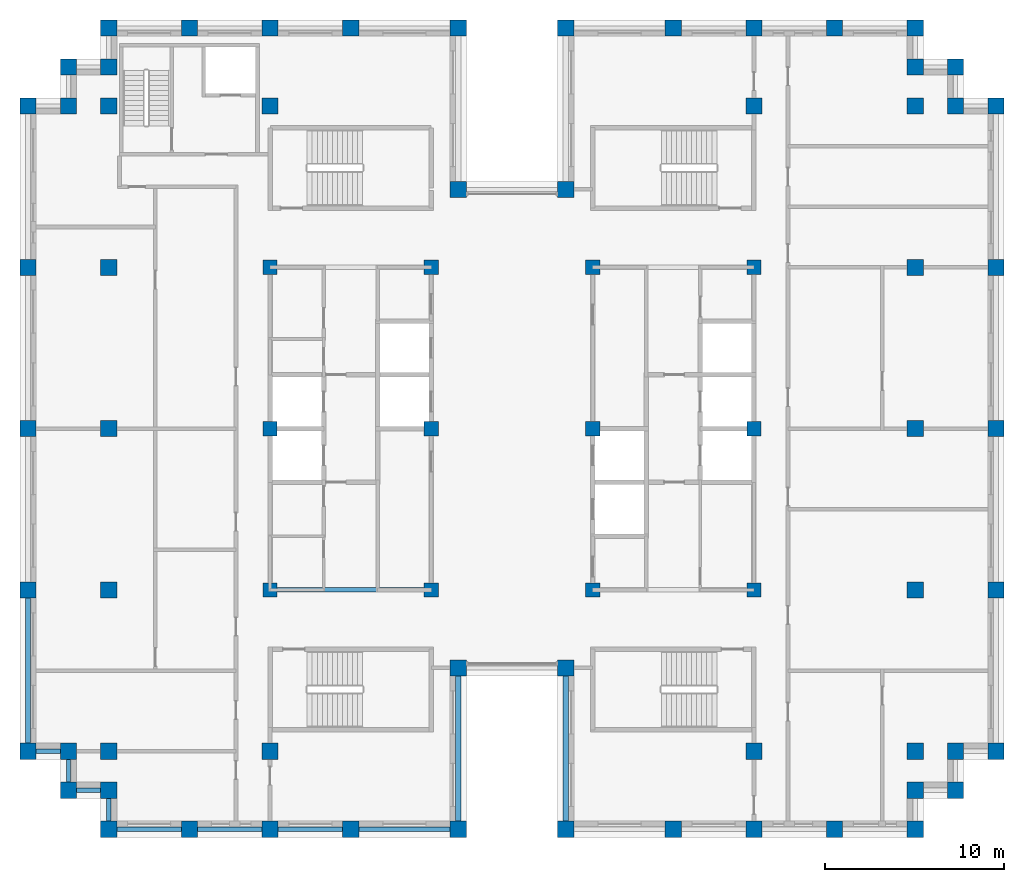
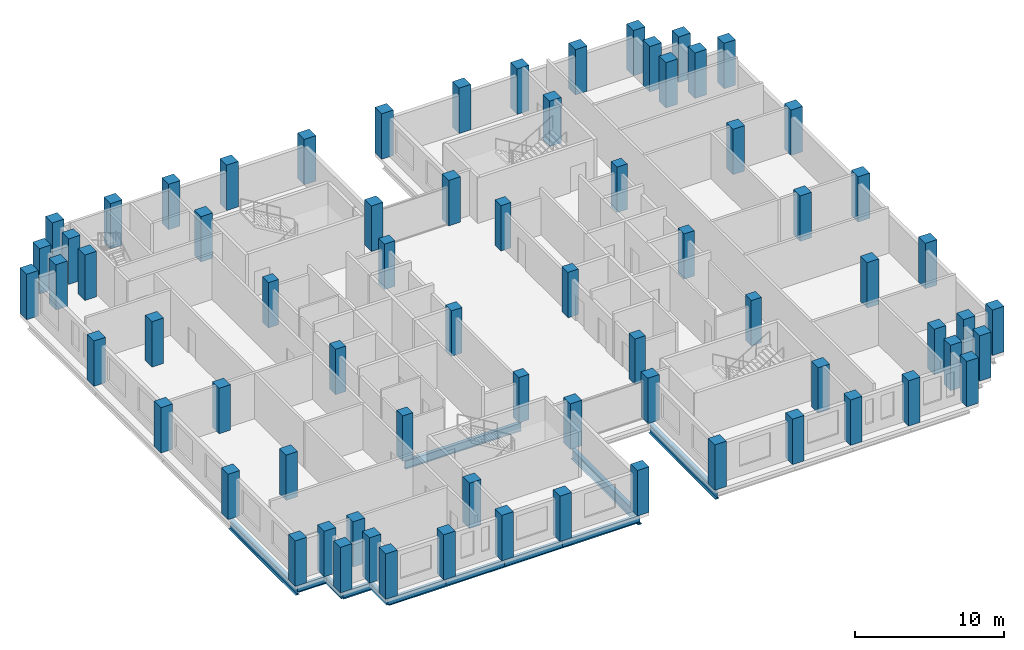
# One storey, part 1 of 13: 72 columns, 12 beams.
"""IFC4 building model written with IfcOpenShell, lengths in metres."""

import ifcopenshell
import ifcopenshell.guid

model = None  # the IFC model being written
_history = None  # IfcOwnerHistory: only IFC2X3 demands one
_inside = {}  # id of a spatial element -> (the spatial element, [elements in it])
_under = {}  # id of a project, library or spatial element -> (it, [spatial elements below it])
_declared = {}  # id of a project -> (the project, [libraries it declares])
_typed = {}  # id of a type object -> (the type object, [elements of that type])
_made_of = {}  # id of a material, layer set ... -> (it, [elements and type objects made of it])


def new_model(schema):
    """Start an empty IFC model of exactly this schema.

    Asked for "IFC4X3", IfcOpenShell would pick the latest addendum, in which some entities
    have other attributes; the version numbers below select the first issue.
    IFC2X3 requires an IfcOwnerHistory on every rooted entity: one is made here for all.
    """
    global model, _history
    if schema == "IFC4X3":
        model = ifcopenshell.file(schema_version=(4, 3, 0, 0))
    else:
        model = ifcopenshell.file(schema=schema)
    _inside.clear()
    _under.clear()
    _declared.clear()
    _typed.clear()
    _made_of.clear()
    _history = None
    if model.schema == "IFC2X3":
        org = make("IfcOrganization", Name="unknown")
        user = make(
            "IfcPersonAndOrganization",
            ThePerson=make("IfcPerson", FamilyName="unknown"),
            TheOrganization=org,
        )
        app = make(
            "IfcApplication",
            ApplicationDeveloper=org,
            Version="unknown",
            ApplicationFullName="unknown",
            ApplicationIdentifier="unknown",
        )
        _history = make(
            "IfcOwnerHistory",
            OwningUser=user,
            OwningApplication=app,
            ChangeAction="ADDED",
            CreationDate=0,
        )
    return model


def make(cls, **values):
    """One entity of the class cls with the attributes given. An attribute that is None is left unset."""
    return model.create_entity(
        cls, **{name: value for name, value in values.items() if value is not None}
    )


def rooted(cls, **values):
    """An entity with a GlobalId (a new one), such as an element, a storey or a relation."""
    return make(cls, GlobalId=ifcopenshell.guid.new(), OwnerHistory=_history, **values)


def si_unit(unit_type, name, prefix=None):
    """IfcSIUnit, for example si_unit("LENGTHUNIT", "METRE", prefix="MILLI")."""
    return make("IfcSIUnit", UnitType=unit_type, Prefix=prefix, Name=name)


def assignment(units):
    """IfcUnitAssignment: the units of a project."""
    return None if units is None else make("IfcUnitAssignment", Units=units)


def point(xyz):
    """IfcCartesianPoint."""
    return None if xyz is None else make("IfcCartesianPoint", Coordinates=xyz)


def direction(xyz):
    """IfcDirection."""
    return None if xyz is None else make("IfcDirection", DirectionRatios=xyz)


def frame(location, z_axis=None, x_axis=None):
    """IfcAxis2Placement3D, a coordinate frame: its origin and axes. An axis left out is left unset."""
    return make(
        "IfcAxis2Placement3D",
        Location=point(location),
        Axis=direction(z_axis),
        RefDirection=direction(x_axis),
    )


def frame_2d(location, x_axis=None):
    """IfcAxis2Placement2D, a coordinate frame in the plane: its origin and x axis."""
    return make(
        "IfcAxis2Placement2D", Location=point(location), RefDirection=direction(x_axis)
    )


def origin():
    """The frame at (0, 0, 0) with its axes left unset."""
    return frame((0.0, 0.0, 0.0))


def origin_2d():
    """The frame at (0, 0) in the plane with its x axis left unset."""
    return frame_2d((0.0, 0.0))


def place(relative_to, where):
    """IfcLocalPlacement: puts the frame where relative to a parent placement (None: the world)."""
    return make(
        "IfcLocalPlacement", PlacementRelTo=relative_to, RelativePlacement=where
    )


def context(
    kind, dimensions, precision=None, world=None, true_north=None, identifier=None
):
    """IfcGeometricRepresentationContext, for example the 3D "Model" context."""
    return make(
        "IfcGeometricRepresentationContext",
        ContextIdentifier=identifier,
        ContextType=kind,
        CoordinateSpaceDimension=dimensions,
        Precision=precision,
        WorldCoordinateSystem=world,
        TrueNorth=true_north,
    )


def subcontext(parent, identifier, kind, view, scale=None):
    """IfcGeometricRepresentationSubContext, for example "Body" below "Model"."""
    return make(
        "IfcGeometricRepresentationSubContext",
        ContextIdentifier=identifier,
        ContextType=kind,
        ParentContext=parent,
        TargetScale=scale,
        TargetView=view,
    )


def project(units=None, contexts=None):
    """IfcProject with its units and contexts."""
    return rooted(
        "IfcProject",
        Name="project",
        RepresentationContexts=contexts,
        UnitsInContext=assignment(units),
    )


def spatial(cls, under=None, at=None, **own):
    """A site, building, storey or space (cls), placed at a placement, below another one or the project."""
    s = rooted(cls, ObjectPlacement=at, **own)
    if under is not None:
        _under.setdefault(under.id(), (under, []))[1].append(s)
    return s


def profile(cls, at=None, kind="AREA", **sizes):
    """A parametric profile (cls). Its sizes go by their IFC names, for example OverallWidth=200.0."""
    return make(cls, ProfileType=kind, Position=at, **sizes)


def rectangle(**sizes):
    """IfcRectangleProfileDef."""
    return profile("IfcRectangleProfileDef", **sizes)


def i_section(**sizes):
    """IfcIShapeProfileDef."""
    return profile("IfcIShapeProfileDef", **sizes)


def extrude(swept, where, along, depth):
    """IfcExtrudedAreaSolid: the profile swept, set in the frame where, extruded along a direction by depth."""
    return make(
        "IfcExtrudedAreaSolid",
        SweptArea=swept,
        Position=where,
        ExtrudedDirection=direction(along),
        Depth=depth,
    )


def shape(context_of_items, identifier, shape_type, items):
    """IfcShapeRepresentation: the items that make up one representation, for example the "Body"."""
    return make(
        "IfcShapeRepresentation",
        ContextOfItems=context_of_items,
        RepresentationIdentifier=identifier,
        RepresentationType=shape_type,
        Items=items,
    )


def material(Name=None, Category=None):
    """IfcMaterial."""
    return make("IfcMaterial", Name=Name, Category=Category)


def material_profile(
    of_material, cross_section, Name=None, Category=None, Priority=None
):
    """IfcMaterialProfile: a cross section and its material."""
    return make(
        "IfcMaterialProfile",
        Name=Name,
        Material=of_material,
        Profile=cross_section,
        Priority=Priority,
        Category=Category,
    )


def profile_set(profiles, Name=None, composite=None):
    """IfcMaterialProfileSet."""
    return make(
        "IfcMaterialProfileSet",
        Name=Name,
        MaterialProfiles=profiles,
        CompositeProfile=composite,
    )


def made_of(thing, what):
    """Note that an element or type object is made of a material, layer set ...; save() writes the relation."""
    if what is not None:
        _made_of.setdefault(what.id(), (what, []))[1].append(thing)
    return thing


def type_object(cls, material=None, **own):
    """A type object (cls), such as IfcWallType, which elements share."""
    return made_of(rooted(cls, **own), material)


def element(
    cls,
    number,
    at=None,
    inside=None,
    cuts=None,
    type_object=None,
    material=None,
    context=None,
    identifier="Body",
    shape_type=None,
    held_by="IfcProductDefinitionShape",
    body=None,
    shapes=None,
    **own,
):
    """One element of the class cls, such as IfcWall. Its Tag is "e" and its number.

    at: its placement. inside: the storey or other place that contains it. cuts: it is an
    opening in that element (IfcRelVoidsElement). A single representation is given by context,
    identifier, shape_type and body (its items); several are given by shapes. held_by: the class
    of the entity that holds the representations. save() writes the other relations.
    """
    e = rooted(cls, Tag="e%d" % number, ObjectPlacement=at, **own)
    if body is not None:
        shapes = [shape(context, identifier, shape_type, body)]
    if shapes is not None:
        e.Representation = make(held_by, Representations=shapes)
    if inside is not None:
        _inside.setdefault(inside.id(), (inside, []))[1].append(e)
    if cuts is not None:
        rooted(
            "IfcRelVoidsElement", RelatingBuildingElement=cuts, RelatedOpeningElement=e
        )
    if type_object is not None:
        _typed.setdefault(type_object.id(), (type_object, []))[1].append(e)
    return made_of(e, material)


def aggregate(whole, parts):
    """IfcRelAggregates: a whole, such as a stair, and the parts it consists of."""
    return rooted("IfcRelAggregates", RelatingObject=whole, RelatedObjects=parts)


def save(model, path):
    """Write the relations noted so far, then the file.

    IfcRelAggregates (storeys below a building ...), IfcRelContainedInSpatialStructure (elements
    in a storey), IfcRelDefinesByType, IfcRelAssociatesMaterial and IfcRelDeclares: one each for
    every whole, place, type object, material and project.
    """
    for whole, parts in _under.values():
        aggregate(whole, parts)
    for where, things in _inside.values():
        rooted(
            "IfcRelContainedInSpatialStructure",
            RelatedElements=things,
            RelatingStructure=where,
        )
    for kind, things in _typed.values():
        rooted("IfcRelDefinesByType", RelatedObjects=things, RelatingType=kind)
    for what, things in _made_of.values():
        rooted("IfcRelAssociatesMaterial", RelatedObjects=things, RelatingMaterial=what)
    for by, libraries in _declared.values():
        rooted("IfcRelDeclares", RelatingContext=by, RelatedDefinitions=libraries)
    model.write(path)


model = new_model("IFC4")

# Units and contexts
model_context = context("Model", 3, precision=1e-05, world=origin(), true_north=direction((0.0, 1.0)))
body_context = subcontext(model_context, "Body", "Model", "MODEL_VIEW")
ifc_project = project(units=[si_unit("LENGTHUNIT", "METRE"), si_unit("AREAUNIT", "SQUARE_METRE"), si_unit("VOLUMEUNIT", "CUBIC_METRE"), si_unit("PLANEANGLEUNIT", "RADIAN"), si_unit("MASSUNIT", "GRAM", prefix="KILO")], contexts=[model_context])

# Site, building, storey
site_placement = place(None, origin())
site = spatial("IfcSite", under=ifc_project, at=site_placement, CompositionType="ELEMENT")
building_placement = place(site_placement, origin())
building = spatial("IfcBuilding", under=site, at=building_placement, Name="Corbelhall Arena Tower", CompositionType="ELEMENT")
storey_placement = place(building_placement, frame((0.0, 0.0, 254.0)))
storey = spatial("IfcBuildingStorey", under=building, at=storey_placement, Name="L54", CompositionType="ELEMENT", Elevation=254.0)

# Columns
ifc_material_1 = material(Name="Concrete C80/95", Category="concrete")
ifc_material_profile_1 = material_profile(ifc_material_1, rectangle(XDim=0.800048828125, YDim=0.800048828125, at=origin_2d()))
ifc_profile_set_1 = profile_set([ifc_material_profile_1], Name="Concrete C80/95")
column_type_1 = type_object("IfcColumnType", Name="ST-COL-RC 800x800", PredefinedType="COLUMN", material=ifc_profile_set_1)
for number, where, z_axis, x_axis, name in (
    (1, (4.5, 0.0, 0.0), (0.0, 0.0, 1.0), (1.0, 0.0, 0.0), "Column KE+0450+0000"),
    (2, (4.5, 9.0, 0.0), (0.0, 0.0, 1.0), (1.0, 0.0, 0.0), "Column KE+0450+0900"),
    (3, (4.5, -9.0, 0.0), (0.0, 0.0, 1.0), (1.0, 0.0, 0.0), "Column KE+0450-0900"),
    (4, (13.5, 0.0, 0.0), (0.0, 0.0, 1.0), (1.0, 0.0, 0.0), "Column KE+1350+0000"),
    (5, (13.5, 9.0, 0.0), (0.0, 0.0, 1.0), (1.0, 0.0, 0.0), "Column KE+1350+0900"),
    (6, (13.5, -9.0, 0.0), (0.0, 0.0, 1.0), (1.0, 0.0, 0.0), "Column KE+1350-0900"),
    (7, (-4.5, 0.0, 0.0), (0.0, 0.0, 1.0), (1.0, 0.0, 0.0), "Column KW-0450+0000"),
    (8, (-4.5, 9.0, 0.0), (0.0, 0.0, 1.0), (1.0, 0.0, 0.0), "Column KW-0450+0900"),
    (9, (-4.5, -9.0, 0.0), (0.0, 0.0, 1.0), (1.0, 0.0, 0.0), "Column KW-0450-0900"),
    (10, (-13.5, 0.0, 0.0), (0.0, 0.0, 1.0), (1.0, 0.0, 0.0), "Column KW-1350+0000"),
    (11, (-13.5, 9.0, 0.0), (0.0, 0.0, 1.0), (1.0, 0.0, 0.0), "Column KW-1350+0900"),
    (12, (-13.5, -9.0, 0.0), (0.0, 0.0, 1.0), (1.0, 0.0, 0.0), "Column KW-1350-0900"),
):
    element("IfcColumn", number, at=place(storey_placement, frame(where, z_axis=z_axis, x_axis=x_axis)), inside=storey, type_object=column_type_1, Name=name, PredefinedType="COLUMN", context=body_context, shape_type="SweptSolid", body=[
        extrude(rectangle(XDim=0.800048828125, YDim=0.800048828125, at=origin_2d()), origin(), (0.0, 0.0, 1.0), 3.719970703125),
    ])
ifc_material_profile_2 = material_profile(ifc_material_1, rectangle(XDim=0.89990234375, YDim=0.89990234375, at=origin_2d()))
ifc_profile_set_2 = profile_set([ifc_material_profile_2], Name="Concrete C80/95")
column_type_2 = type_object("IfcColumnType", Name="ST-COL-RC 900x900", PredefinedType="COLUMN", material=ifc_profile_set_2)
for number, where, z_axis, x_axis, name in (
    (13, (13.5, 18.0, 0.0), (0.0, 0.0, 1.0), (1.0, 0.0, 0.0), "Column IE13+1800"),
    (14, (13.5, -18.0, 0.0), (0.0, 0.0, 1.0), (1.0, 0.0, 0.0), "Column IE13-1800"),
    (15, (22.5, 0.0, 0.0), (0.0, 0.0, 1.0), (1.0, 0.0, 0.0), "Column IE22+0000"),
    (16, (22.5, 9.0, 0.0), (0.0, 0.0, 1.0), (1.0, 0.0, 0.0), "Column IE22+0900"),
    (17, (22.5, 18.0, 0.0), (0.0, 0.0, 1.0), (1.0, 0.0, 0.0), "Column IE22+1800"),
    (18, (22.5, -9.0, 0.0), (0.0, 0.0, 1.0), (1.0, 0.0, 0.0), "Column IE22-0900"),
    (19, (22.5, -18.0, 0.0), (0.0, 0.0, 1.0), (1.0, 0.0, 0.0), "Column IE22-1800"),
    (20, (-13.5, 18.0, 0.0), (0.0, 0.0, 1.0), (1.0, 0.0, 0.0), "Column IW13+1800"),
    (21, (-13.5, -18.0, 0.0), (0.0, 0.0, 1.0), (1.0, 0.0, 0.0), "Column IW13-1800"),
    (22, (-22.5, 0.0, 0.0), (0.0, 0.0, 1.0), (1.0, 0.0, 0.0), "Column IW22+0000"),
    (23, (-22.5, 9.0, 0.0), (0.0, 0.0, 1.0), (1.0, 0.0, 0.0), "Column IW22+0900"),
    (24, (-22.5, 18.0, 0.0), (0.0, 0.0, 1.0), (1.0, 0.0, 0.0), "Column IW22+1800"),
    (25, (-22.5, -9.0, 0.0), (0.0, 0.0, 1.0), (1.0, 0.0, 0.0), "Column IW22-0900"),
    (26, (-22.5, -18.0, 0.0), (0.0, 0.0, 1.0), (1.0, 0.0, 0.0), "Column IW22-1800"),
    (27, (27.0, 0.0, 0.0), (0.0, 0.0, 1.0), (0.0, 1.0, 0.0), "Column PE+0000"),
    (28, (27.0, 9.0, 0.0), (0.0, 0.0, 1.0), (0.0, 1.0, 0.0), "Column PE+0900"),
    (29, (27.0, 18.0, 0.0), (0.0, 0.0, 1.0), (0.0, 1.0, 0.0), "Column PE+1800"),
    (30, (27.0, -9.0, 0.0), (0.0, 0.0, 1.0), (0.0, 1.0, 0.0), "Column PE-0900"),
    (31, (27.0, -18.0, 0.0), (0.0, 0.0, 1.0), (0.0, 1.0, 0.0), "Column PE-1800"),
    (32, (3.0, 22.35009765625, 0.0), (0.0, 0.0, 1.0), (1.0, 0.0, 0.0), "Column PNE0300"),
    (33, (9.0, 22.35009765625, 0.0), (0.0, 0.0, 1.0), (1.0, 0.0, 0.0), "Column PNE0900"),
    (34, (13.5, 22.35009765625, 0.0), (0.0, 0.0, 1.0), (1.0, 0.0, 0.0), "Column PNE1350"),
    (35, (18.0, 22.35009765625, 0.0), (0.0, 0.0, 1.0), (1.0, 0.0, 0.0), "Column PNE1800"),
    (36, (22.5, 22.35009765625, 0.0), (0.0, 0.0, 1.0), (1.0, 0.0, 0.0), "Column PNE2250"),
    (37, (-3.0, 22.35009765625, 0.0), (0.0, 0.0, 1.0), (1.0, 0.0, 0.0), "Column PNW0300"),
    (38, (-9.0, 22.35009765625, 0.0), (0.0, 0.0, 1.0), (1.0, 0.0, 0.0), "Column PNW0900"),
    (39, (-13.5, 22.35009765625, 0.0), (0.0, 0.0, 1.0), (1.0, 0.0, 0.0), "Column PNW1350"),
    (40, (-18.0, 22.35009765625, 0.0), (0.0, 0.0, 1.0), (1.0, 0.0, 0.0), "Column PNW1800"),
    (41, (-22.5, 22.35009765625, 0.0), (0.0, 0.0, 1.0), (1.0, 0.0, 0.0), "Column PNW2250"),
    (42, (3.0, -22.35009765625, 0.0), (0.0, 0.0, 1.0), (1.0, 0.0, 0.0), "Column PSE0300"),
    (43, (9.0, -22.35009765625, 0.0), (0.0, 0.0, 1.0), (1.0, 0.0, 0.0), "Column PSE0900"),
    (44, (13.5, -22.35009765625, 0.0), (0.0, 0.0, 1.0), (1.0, 0.0, 0.0), "Column PSE1350"),
    (45, (18.0, -22.35009765625, 0.0), (0.0, 0.0, 1.0), (1.0, 0.0, 0.0), "Column PSE1800"),
    (46, (22.5, -22.35009765625, 0.0), (0.0, 0.0, 1.0), (1.0, 0.0, 0.0), "Column PSE2250"),
    (47, (-3.0, -22.35009765625, 0.0), (0.0, 0.0, 1.0), (1.0, 0.0, 0.0), "Column PSW0300"),
    (48, (-9.0, -22.35009765625, 0.0), (0.0, 0.0, 1.0), (1.0, 0.0, 0.0), "Column PSW0900"),
    (49, (-13.5, -22.35009765625, 0.0), (0.0, 0.0, 1.0), (1.0, 0.0, 0.0), "Column PSW1350"),
    (50, (-18.0, -22.35009765625, 0.0), (0.0, 0.0, 1.0), (1.0, 0.0, 0.0), "Column PSW1800"),
    (51, (-22.5, -22.35009765625, 0.0), (0.0, 0.0, 1.0), (1.0, 0.0, 0.0), "Column PSW2250"),
    (52, (-27.0, 0.0, 0.0), (0.0, 0.0, 1.0), (0.0, 1.0, 0.0), "Column PW+0000"),
    (53, (-27.0, 9.0, 0.0), (0.0, 0.0, 1.0), (0.0, 1.0, 0.0), "Column PW+0900"),
    (54, (-27.0, 18.0, 0.0), (0.0, 0.0, 1.0), (0.0, 1.0, 0.0), "Column PW+1800"),
    (55, (-27.0, -9.0, 0.0), (0.0, 0.0, 1.0), (0.0, 1.0, 0.0), "Column PW-0900"),
    (56, (-27.0, -18.0, 0.0), (0.0, 0.0, 1.0), (0.0, 1.0, 0.0), "Column PW-1800"),
    (57, (3.0, 13.35009765625, 0.0), (0.0, 0.0, 1.0), (1.0, 0.0, 0.0), "Column SLNE2"),
    (58, (-3.0, 13.35009765625, 0.0), (0.0, 0.0, 1.0), (1.0, 0.0, 0.0), "Column SLNW2"),
    (59, (3.0, -13.35009765625, 0.0), (0.0, 0.0, 1.0), (1.0, 0.0, 0.0), "Column SLSE2"),
    (60, (-3.0, -13.35009765625, 0.0), (0.0, 0.0, 1.0), (1.0, 0.0, 0.0), "Column SLSW2"),
    (61, (22.5, 20.175048828125, 0.0), (0.0, 0.0, 1.0), (1.0, 0.0, 0.0), "Column XNE1"),
    (62, (24.75, 20.175048828125, 0.0), (0.0, 0.0, 1.0), (1.0, 0.0, 0.0), "Column XNE2"),
    (63, (24.75, 18.0, 0.0), (0.0, 0.0, 1.0), (1.0, 0.0, 0.0), "Column XNE3"),
    (64, (-22.5, 20.175048828125, 0.0), (0.0, 0.0, 1.0), (1.0, 0.0, 0.0), "Column XNW1"),
    (65, (-24.75, 20.175048828125, 0.0), (0.0, 0.0, 1.0), (1.0, 0.0, 0.0), "Column XNW2"),
    (66, (-24.75, 18.0, 0.0), (0.0, 0.0, 1.0), (1.0, 0.0, 0.0), "Column XNW3"),
    (67, (22.5, -20.175048828125, 0.0), (0.0, 0.0, 1.0), (1.0, 0.0, 0.0), "Column XSE1"),
    (68, (24.75, -20.175048828125, 0.0), (0.0, 0.0, 1.0), (1.0, 0.0, 0.0), "Column XSE2"),
    (69, (24.75, -18.0, 0.0), (0.0, 0.0, 1.0), (1.0, 0.0, 0.0), "Column XSE3"),
    (70, (-22.5, -20.175048828125, 0.0), (0.0, 0.0, 1.0), (1.0, 0.0, 0.0), "Column XSW1"),
    (71, (-24.75, -20.175048828125, 0.0), (0.0, 0.0, 1.0), (1.0, 0.0, 0.0), "Column XSW2"),
    (72, (-24.75, -18.0, 0.0), (0.0, 0.0, 1.0), (1.0, 0.0, 0.0), "Column XSW3"),
):
    element("IfcColumn", number, at=place(storey_placement, frame(where, z_axis=z_axis, x_axis=x_axis)), inside=storey, type_object=column_type_2, Name=name, PredefinedType="COLUMN", context=body_context, shape_type="SweptSolid", body=[
        extrude(rectangle(XDim=0.89990234375, YDim=0.89990234375, at=origin_2d()), origin(), (0.0, 0.0, 1.0), 3.719970703125),
    ])

# Beams
ifc_material_2 = material(Name="Steel ASTM A992 Gr50", Category="steel")
ifc_material_profile_3 = material_profile(ifc_material_2, i_section(OverallWidth=0.25390625, OverallDepth=0.67822265625, WebThickness=0.01171875, FlangeThickness=0.016357421875, at=origin_2d()))
ifc_profile_set_3 = profile_set([ifc_material_profile_3], Name="Steel ASTM A992 Gr50")
beam_type_1 = type_object("IfcBeamType", Name="ST-BEAM-W27x84", PredefinedType="BEAM", material=ifc_profile_set_3)
beam_1_placement = place(storey_placement, frame((-13.5, -9.0, -0.619140625), z_axis=(1.0, 0.0, 0.0), x_axis=(0.0, 1.0, 0.0)))
element("IfcBeam", 73, at=beam_1_placement, inside=storey, type_object=beam_type_1, Name="Beam CEW 5", PredefinedType="BEAM", context=body_context, shape_type="SweptSolid", body=[
    extrude(i_section(OverallWidth=0.25390625, OverallDepth=0.67822265625, WebThickness=0.01171875, FlangeThickness=0.016357421875, at=origin_2d()), origin(), (0.0, 0.0, 1.0), 9.0),
])
ifc_material_profile_4 = material_profile(ifc_material_2, i_section(OverallWidth=0.227783203125, OverallDepth=0.60205078125, WebThickness=0.010498046875, FlangeThickness=0.014892578125, at=origin_2d()))
ifc_profile_set_4 = profile_set([ifc_material_profile_4], Name="Steel ASTM A992 Gr50")
beam_type_2 = type_object("IfcBeamType", Name="ST-SPANDREL-W24x68", PredefinedType="SPANDREL", material=ifc_profile_set_4)
beam_2_placement = place(storey_placement, frame((-3.0, -22.35009765625, -0.5810546875), z_axis=(-1.0, 0.0, 0.0), x_axis=(0.0, -1.0, 0.0)))
element("IfcBeam", 74, at=beam_2_placement, inside=storey, type_object=beam_type_2, Name="Beam SP 21", PredefinedType="SPANDREL", context=body_context, shape_type="SweptSolid", body=[
    extrude(i_section(OverallWidth=0.227783203125, OverallDepth=0.60205078125, WebThickness=0.010498046875, FlangeThickness=0.014892578125, at=origin_2d()), origin(), (0.0, 0.0, 1.0), 6.0),
])
for number, where, z_axis, x_axis, name in (
    (75, (-9.0, -22.35009765625, -0.5810546875), (-1.0, 0.0, 0.0), (0.0, -1.0, 0.0), "Beam SP 22"),
    (76, (-13.5, -22.35009765625, -0.5810546875), (-1.0, 0.0, 0.0), (0.0, -1.0, 0.0), "Beam SP 23"),
    (77, (-18.0, -22.35009765625, -0.5810546875), (-1.0, 0.0, 0.0), (0.0, -1.0, 0.0), "Beam SP 24"),
):
    element("IfcBeam", number, at=place(storey_placement, frame(where, z_axis=z_axis, x_axis=x_axis)), inside=storey, type_object=beam_type_2, Name=name, PredefinedType="SPANDREL", context=body_context, shape_type="SweptSolid", body=[
        extrude(i_section(OverallWidth=0.227783203125, OverallDepth=0.60205078125, WebThickness=0.010498046875, FlangeThickness=0.014892578125, at=origin_2d()), origin(), (0.0, 0.0, 1.0), 4.5),
    ])
beam_3_placement = place(storey_placement, frame((-22.5, -22.35009765625, -0.5810546875), z_axis=(0.0, 1.0, 0.0), x_axis=(-1.0, 0.0, 0.0)))
element("IfcBeam", 78, at=beam_3_placement, inside=storey, type_object=beam_type_2, Name="Beam SP 25", PredefinedType="SPANDREL", context=body_context, shape_type="SweptSolid", body=[
    extrude(i_section(OverallWidth=0.227783203125, OverallDepth=0.60205078125, WebThickness=0.010498046875, FlangeThickness=0.014892578125, at=origin_2d()), origin(), (0.0, 0.0, 1.0), 2.175048828125),
])
beam_4_placement = place(storey_placement, frame((-22.5, -20.175048828125, -0.5810546875), z_axis=(-1.0, 0.0, 0.0), x_axis=(0.0, -1.0, 0.0)))
element("IfcBeam", 79, at=beam_4_placement, inside=storey, type_object=beam_type_2, Name="Beam SP 44", PredefinedType="SPANDREL", context=body_context, shape_type="SweptSolid", body=[
    extrude(i_section(OverallWidth=0.227783203125, OverallDepth=0.60205078125, WebThickness=0.010498046875, FlangeThickness=0.014892578125, at=origin_2d()), origin(), (0.0, 0.0, 1.0), 2.25),
])
beam_5_placement = place(storey_placement, frame((-24.75, -20.175048828125, -0.5810546875), z_axis=(0.0, 1.0, 0.0), x_axis=(-1.0, 0.0, 0.0)))
element("IfcBeam", 80, at=beam_5_placement, inside=storey, type_object=beam_type_2, Name="Beam SP 45", PredefinedType="SPANDREL", context=body_context, shape_type="SweptSolid", body=[
    extrude(i_section(OverallWidth=0.227783203125, OverallDepth=0.60205078125, WebThickness=0.010498046875, FlangeThickness=0.014892578125, at=origin_2d()), origin(), (0.0, 0.0, 1.0), 2.175048828125),
])
beam_6_placement = place(storey_placement, frame((-24.75, -18.0, -0.5810546875), z_axis=(-1.0, 0.0, 0.0), x_axis=(0.0, -1.0, 0.0)))
element("IfcBeam", 81, at=beam_6_placement, inside=storey, type_object=beam_type_2, Name="Beam SP 46", PredefinedType="SPANDREL", context=body_context, shape_type="SweptSolid", body=[
    extrude(i_section(OverallWidth=0.227783203125, OverallDepth=0.60205078125, WebThickness=0.010498046875, FlangeThickness=0.014892578125, at=origin_2d()), origin(), (0.0, 0.0, 1.0), 2.25),
])
ifc_material_profile_5 = material_profile(ifc_material_2, i_section(OverallWidth=0.2919921875, OverallDepth=0.845703125, WebThickness=0.015380859375, FlangeThickness=0.0244140625, at=origin_2d()))
ifc_profile_set_5 = profile_set([ifc_material_profile_5], Name="Steel ASTM A992 Gr50")
beam_type_3 = type_object("IfcBeamType", Name="ST-SPANDREL-W33x141", PredefinedType="SPANDREL", material=ifc_profile_set_5)
for number, where, z_axis, x_axis, name in (
    (82, (3.0, -22.35009765625, -0.702880859375), (0.0, 1.0, 0.0), (-1.0, 0.0, 0.0), "Beam SP 16"),
    (83, (-27.0, -18.0, -0.702880859375), (0.0, 1.0, 0.0), (-1.0, 0.0, 0.0), "Beam SP 30"),
    (84, (-3.0, -13.35009765625, -0.702880859375), (0.0, -1.0, 0.0), (1.0, 0.0, 0.0), "Beam SP 34"),
):
    element("IfcBeam", number, at=place(storey_placement, frame(where, z_axis=z_axis, x_axis=x_axis)), inside=storey, type_object=beam_type_3, Name=name, PredefinedType="SPANDREL", context=body_context, shape_type="SweptSolid", body=[
        extrude(i_section(OverallWidth=0.2919921875, OverallDepth=0.845703125, WebThickness=0.015380859375, FlangeThickness=0.0244140625, at=origin_2d()), origin(), (0.0, 0.0, 1.0), 9.0),
    ])

save(model, "model.ifc")
